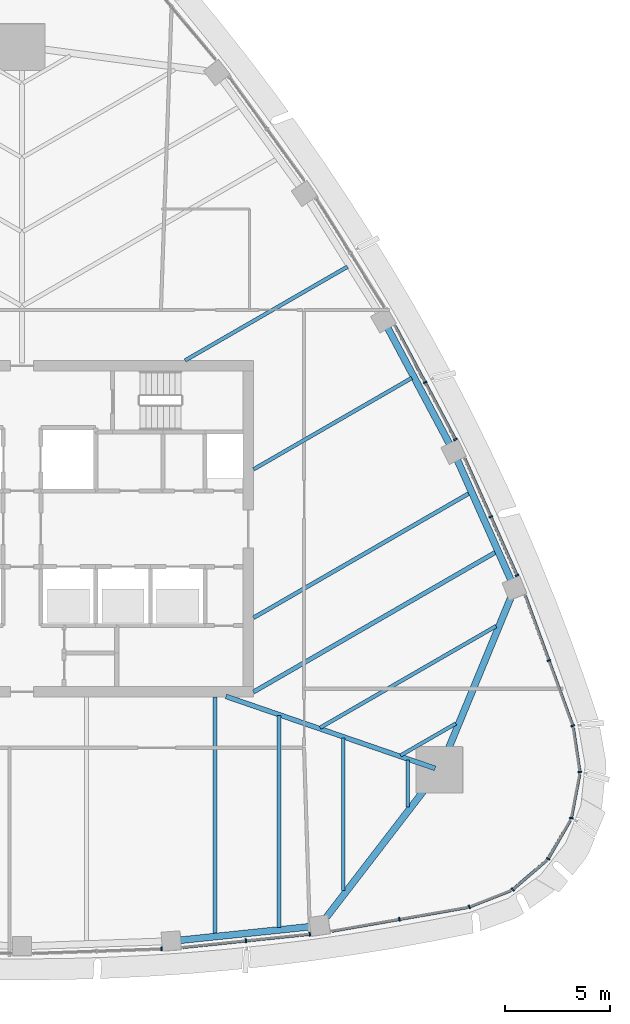
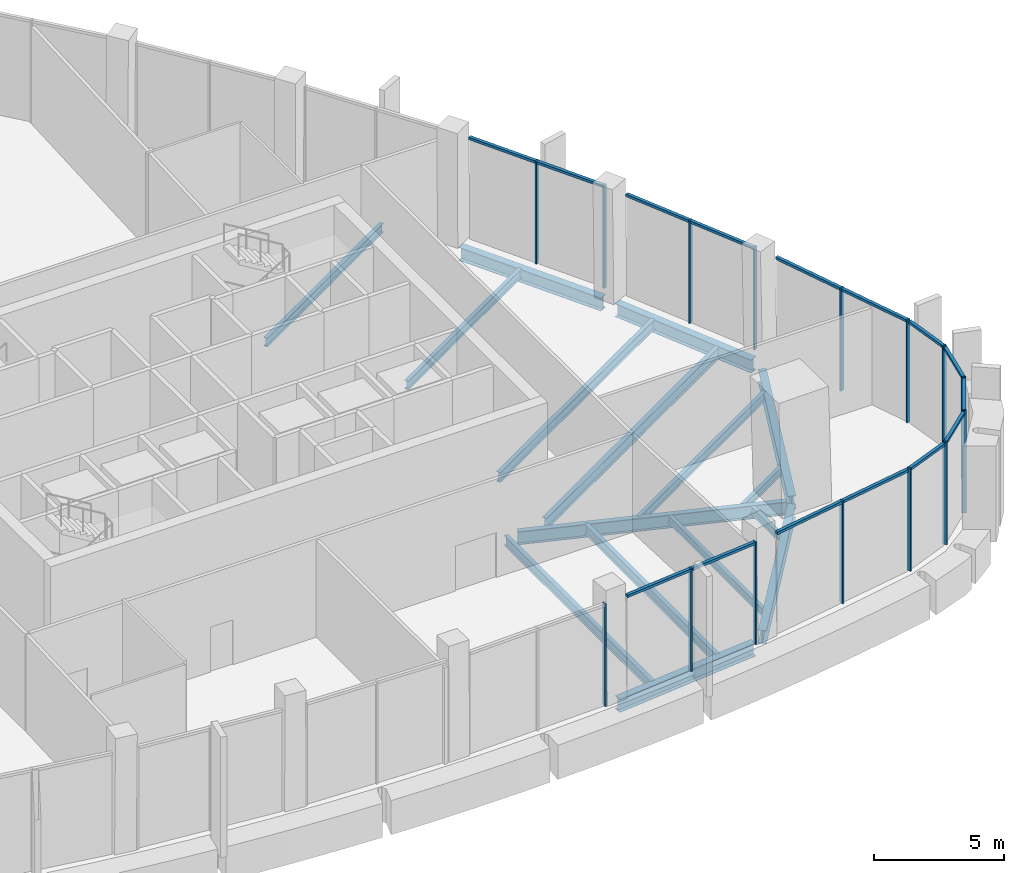
# One storey, part 4 of 19: 30 members, 16 beams, 11 elements without a shape of their own.
"""IFC4 building model written with IfcOpenShell, lengths in metres."""

from ifc_helpers import new_model, si_unit, direction, frame, origin, origin_2d, place, context, subcontext, project, spatial, rectangle, i_section, extrude, material, layer, layer_set, material_profile, profile_set, type_object, element, aggregate, save


model = new_model("IFC4")

# Units and contexts
model_context = context("Model", 3, precision=1e-05, world=origin(), true_north=direction((0.0, 1.0)))
body_context = subcontext(model_context, "Body", "Model", "MODEL_VIEW")
ifc_project = project(units=[si_unit("LENGTHUNIT", "METRE"), si_unit("AREAUNIT", "SQUARE_METRE"), si_unit("VOLUMEUNIT", "CUBIC_METRE"), si_unit("PLANEANGLEUNIT", "RADIAN"), si_unit("MASSUNIT", "GRAM", prefix="KILO")], contexts=[model_context])

# Site, building, storey
site_placement = place(None, origin())
site = spatial("IfcSite", under=ifc_project, at=site_placement, CompositionType="ELEMENT")
building_placement = place(site_placement, origin())
building = spatial("IfcBuilding", under=site, at=building_placement, Name="Sierra Prisma Convention Tower", CompositionType="ELEMENT")
storey_placement = place(building_placement, frame((0.0, 0.0, 319.0)))
storey = spatial("IfcBuildingStorey", under=building, at=storey_placement, Name="L73", CompositionType="ELEMENT", Elevation=319.0)

# Curtain wall, member
ifc_material_1 = material(Name="Aluminium and glass curtain wall", Category="aluminium")
ifc_layer = layer(ifc_material_1, 0.179931640625)
ifc_layer_set = layer_set([ifc_layer], Name="CW-1 Plain shaft curtain wall")
curtain_wall_type = type_object("IfcCurtainWallType", Name="CW-1 Plain shaft curtain wall", PredefinedType="NOTDEFINED", material=ifc_layer_set)
curtain_wall_1_placement = place(storey_placement, origin())
curtain_wall_1 = element("IfcCurtainWall", 1, at=curtain_wall_1_placement, inside=storey, type_object=curtain_wall_type, Name="CW-1 S4 L73", PredefinedType="NOTDEFINED")
ifc_material_2 = material(Name="Aluminium 6063-T6 bronze anodised", Category="aluminium")
ifc_material_profile_1 = material_profile(ifc_material_2, rectangle(XDim=0.179931640625, YDim=0.070068359375, at=origin_2d()), Name="ALU MULLION 70x180")
ifc_profile_set_1 = profile_set([ifc_material_profile_1], Name="Aluminium 6063-T6 bronze anodised")
member_type_1 = type_object("IfcMemberType", Name="CW mullion bronze", PredefinedType="MULLION", material=ifc_profile_set_1)
member_1_placement = place(storey_placement, frame((6.62109375, -19.958251953125, 0.0), z_axis=(0.0, 0.0, 1.0), x_axis=(-0.034550679888, 0.999402947023, 0.0)))
member_1 = element("IfcMember", 2, at=member_1_placement, type_object=member_type_1, Name="CW-1 mullion S4.3", PredefinedType="MULLION", context=body_context, shape_type="SweptSolid", body=[
    extrude(rectangle(XDim=0.179931640625, YDim=0.070068359375, at=origin_2d()), origin(), (0.0, 0.0, 1.0), 4.800048828125),
])
aggregate(curtain_wall_1, [member_1])

# Curtain wall, members
curtain_wall_2_placement = place(storey_placement, origin())
curtain_wall_2 = element("IfcCurtainWall", 3, at=curtain_wall_2_placement, inside=storey, type_object=curtain_wall_type, Name="CW-1 S5 L73", PredefinedType="NOTDEFINED")
member_2_placement = place(storey_placement, frame((10.63818359375, -19.57470703125, 0.0), z_axis=(0.0, 0.0, 1.0), x_axis=(-0.10348706024, 0.994630800027, 0.0)))
member_2 = element("IfcMember", 4, at=member_2_placement, type_object=member_type_1, Name="CW-1 mullion S5.2", PredefinedType="MULLION", context=body_context, shape_type="SweptSolid", body=[
    extrude(rectangle(XDim=0.179931640625, YDim=0.070068359375, at=origin_2d()), origin(), (0.0, 0.0, 1.0), 4.800048828125),
])
member_3_placement = place(storey_placement, frame((13.676025390625, -19.2587890625, 0.0), z_axis=(0.0, 0.0, 1.0), x_axis=(-0.10348706024, 0.994630800027, 0.0)))
member_3 = element("IfcMember", 5, at=member_3_placement, type_object=member_type_1, Name="CW-1 mullion S5.3", PredefinedType="MULLION", context=body_context, shape_type="SweptSolid", body=[
    extrude(rectangle(XDim=0.179931640625, YDim=0.070068359375, at=origin_2d()), origin(), (0.0, 0.0, 1.0), 4.800048828125),
])

# Curtain wall, member
curtain_wall_3_placement = place(storey_placement, origin())
curtain_wall_3 = element("IfcCurtainWall", 6, at=curtain_wall_3_placement, inside=storey, type_object=curtain_wall_type, Name="CW-1 S6 L73", PredefinedType="NOTDEFINED")
member_4_placement = place(storey_placement, frame((17.931396484375, -18.552978515625, 0.0), z_axis=(0.0, 0.0, 1.0), x_axis=(-0.171929290112, 0.985109293024, 0.0)))
member_4 = element("IfcMember", 7, at=member_4_placement, type_object=member_type_1, Name="CW-1 mullion S6.2", PredefinedType="MULLION", context=body_context, shape_type="SweptSolid", body=[
    extrude(rectangle(XDim=0.179931640625, YDim=0.070068359375, at=origin_2d()), origin(), (0.0, 0.0, 1.0), 4.800048828125),
])

curtain_wall_4_placement = place(storey_placement, origin())
curtain_wall_4 = element("IfcCurtainWall", 8, at=curtain_wall_4_placement, inside=storey, type_object=curtain_wall_type, Name="CW-1 SE1 L73", PredefinedType="NOTDEFINED")
member_5_placement = place(storey_placement, frame((21.250244140625, -17.966796875, 0.0), z_axis=(0.0, 0.0, 1.0), x_axis=(-0.366566353342, 0.930391911292, 0.0)))
member_5 = element("IfcMember", 9, at=member_5_placement, type_object=member_type_1, Name="CW-1 mullion SE1.1", PredefinedType="MULLION", context=body_context, shape_type="SweptSolid", body=[
    extrude(rectangle(XDim=0.179931640625, YDim=0.070068359375, at=origin_2d()), origin(), (0.0, 0.0, 1.0), 4.800048828125),
])

curtain_wall_5_placement = place(storey_placement, origin())
curtain_wall_5 = element("IfcCurtainWall", 10, at=curtain_wall_5_placement, inside=storey, type_object=curtain_wall_type, Name="CW-1 SE2 L73", PredefinedType="NOTDEFINED")
member_6_placement = place(storey_placement, frame((23.3173828125, -17.139892578125, 0.0), z_axis=(0.0, 0.0, 1.0), x_axis=(-0.652786266146, 0.757542137924, 0.0)))
member_6 = element("IfcMember", 11, at=member_6_placement, type_object=member_type_1, Name="CW-1 mullion SE2.1", PredefinedType="MULLION", context=body_context, shape_type="SweptSolid", body=[
    extrude(rectangle(XDim=0.179931640625, YDim=0.070068359375, at=origin_2d()), origin(), (0.0, 0.0, 1.0), 4.800048828125),
])

curtain_wall_6_placement = place(storey_placement, origin())
curtain_wall_6 = element("IfcCurtainWall", 12, at=curtain_wall_6_placement, inside=storey, type_object=curtain_wall_type, Name="CW-1 SE3 L73", PredefinedType="NOTDEFINED")
member_7_placement = place(storey_placement, frame((24.996337890625, -15.677734375, 0.0), z_axis=(0.0, 0.0, 1.0), x_axis=(-0.866025403784, 0.5, 0.0)))
member_7 = element("IfcMember", 13, at=member_7_placement, type_object=member_type_1, Name="CW-1 mullion SE3.1", PredefinedType="MULLION", context=body_context, shape_type="SweptSolid", body=[
    extrude(rectangle(XDim=0.179931640625, YDim=0.070068359375, at=origin_2d()), origin(), (0.0, 0.0, 1.0), 4.800048828125),
])

curtain_wall_7_placement = place(storey_placement, origin())
curtain_wall_7 = element("IfcCurtainWall", 14, at=curtain_wall_7_placement, inside=storey, type_object=curtain_wall_type, Name="CW-1 SE4 L73", PredefinedType="NOTDEFINED")
member_8_placement = place(storey_placement, frame((26.099609375, -13.743896484375, 0.0), z_axis=(0.0, 0.0, 1.0), x_axis=(-0.982443868953, 0.186558420762, 0.0)))
member_8 = element("IfcMember", 15, at=member_8_placement, type_object=member_type_1, Name="CW-1 mullion SE4.1", PredefinedType="MULLION", context=body_context, shape_type="SweptSolid", body=[
    extrude(rectangle(XDim=0.179931640625, YDim=0.070068359375, at=origin_2d()), origin(), (0.0, 0.0, 1.0), 4.800048828125),
])

curtain_wall_8_placement = place(storey_placement, origin())
curtain_wall_8 = element("IfcCurtainWall", 16, at=curtain_wall_8_placement, inside=storey, type_object=curtain_wall_type, Name="CW-1 SE5 L73", PredefinedType="NOTDEFINED")
member_9_placement = place(storey_placement, frame((26.503662109375, -11.554443359375, 0.0), z_axis=(0.0, 0.0, 1.0), x_axis=(-0.989026207325, -0.147740181479, 0.0)))
member_9 = element("IfcMember", 17, at=member_9_placement, type_object=member_type_1, Name="CW-1 mullion SE5.1", PredefinedType="MULLION", context=body_context, shape_type="SweptSolid", body=[
    extrude(rectangle(XDim=0.179931640625, YDim=0.070068359375, at=origin_2d()), origin(), (0.0, 0.0, 1.0), 4.800048828125),
])

# Curtain wall, members
curtain_wall_9_placement = place(storey_placement, origin())
curtain_wall_9 = element("IfcCurtainWall", 18, at=curtain_wall_9_placement, inside=storey, type_object=curtain_wall_type, Name="CW-1 NE1 L73", PredefinedType="NOTDEFINED")
member_10_placement = place(storey_placement, frame((26.16748046875, -9.3525390625, 0.0), z_axis=(0.0, 0.0, 1.0), x_axis=(-0.939094318319, -0.34365951362, 0.0)))
member_10 = element("IfcMember", 19, at=member_10_placement, type_object=member_type_1, Name="CW-1 mullion NE1.1", PredefinedType="MULLION", context=body_context, shape_type="SweptSolid", body=[
    extrude(rectangle(XDim=0.179931640625, YDim=0.070068359375, at=origin_2d()), origin(), (0.0, 0.0, 1.0), 4.800048828125),
])
member_11_placement = place(storey_placement, frame((25.033203125, -6.25244140625, 0.0), z_axis=(0.0, 0.0, 1.0), x_axis=(-0.939094318319, -0.34365951362, 0.0)))
member_11 = element("IfcMember", 20, at=member_11_placement, type_object=member_type_1, Name="CW-1 mullion NE1.2", PredefinedType="MULLION", context=body_context, shape_type="SweptSolid", body=[
    extrude(rectangle(XDim=0.179931640625, YDim=0.070068359375, at=origin_2d()), origin(), (0.0, 0.0, 1.0), 4.800048828125),
])

curtain_wall_10_placement = place(storey_placement, origin())
curtain_wall_10 = element("IfcCurtainWall", 21, at=curtain_wall_10_placement, inside=storey, type_object=curtain_wall_type, Name="CW-1 NE2 L73", PredefinedType="NOTDEFINED")
member_12_placement = place(storey_placement, frame((23.5166015625, -2.214599609375, 0.0), z_axis=(0.0, 0.0, 1.0), x_axis=(-0.91311907033, -0.407692976883, 0.0)))
member_12 = element("IfcMember", 22, at=member_12_placement, type_object=member_type_1, Name="CW-1 mullion NE2.1", PredefinedType="MULLION", context=body_context, shape_type="SweptSolid", body=[
    extrude(rectangle(XDim=0.179931640625, YDim=0.070068359375, at=origin_2d()), origin(), (0.0, 0.0, 1.0), 4.800048828125),
])
member_13_placement = place(storey_placement, frame((22.271484375, 0.574462890625, 0.0), z_axis=(0.0, 0.0, 1.0), x_axis=(-0.91311907033, -0.407692976883, 0.0)))
member_13 = element("IfcMember", 23, at=member_13_placement, type_object=member_type_1, Name="CW-1 mullion NE2.2", PredefinedType="MULLION", context=body_context, shape_type="SweptSolid", body=[
    extrude(rectangle(XDim=0.179931640625, YDim=0.070068359375, at=origin_2d()), origin(), (0.0, 0.0, 1.0), 4.800048828125),
])

curtain_wall_11_placement = place(storey_placement, origin())
curtain_wall_11 = element("IfcCurtainWall", 24, at=curtain_wall_11_placement, inside=storey, type_object=curtain_wall_type, Name="CW-1 NE3 L73", PredefinedType="NOTDEFINED")
member_14_placement = place(storey_placement, frame((20.594970703125, 4.244873046875, 0.0), z_axis=(0.0, 0.0, 1.0), x_axis=(-0.882783680684, -0.46977970701, 0.0)))
member_14 = element("IfcMember", 25, at=member_14_placement, type_object=member_type_1, Name="CW-1 mullion NE3.1", PredefinedType="MULLION", context=body_context, shape_type="SweptSolid", body=[
    extrude(rectangle(XDim=0.179931640625, YDim=0.070068359375, at=origin_2d()), origin(), (0.0, 0.0, 1.0), 4.800048828125),
])
member_15_placement = place(storey_placement, frame((19.152587890625, 6.955078125, 0.0), z_axis=(0.0, 0.0, 1.0), x_axis=(-0.882783680684, -0.46977970701, 0.0)))
member_15 = element("IfcMember", 26, at=member_15_placement, type_object=member_type_1, Name="CW-1 mullion NE3.2", PredefinedType="MULLION", context=body_context, shape_type="SweptSolid", body=[
    extrude(rectangle(XDim=0.179931640625, YDim=0.070068359375, at=origin_2d()), origin(), (0.0, 0.0, 1.0), 4.800048828125),
])

# Member
ifc_material_3 = material(Name="Aluminium 6063-T6 bronze anodised", Category="aluminium")
ifc_material_profile_2 = material_profile(ifc_material_3, rectangle(XDim=0.139892578125, YDim=0.1201171875, at=origin_2d()), Name="ALU TRANSOM 120x140")
ifc_profile_set_2 = profile_set([ifc_material_profile_2], Name="Aluminium 6063-T6 bronze anodised")
member_type_2 = type_object("IfcMemberType", Name="CW transom bronze", PredefinedType="USERDEFINED", material=ifc_profile_set_2)
member_16_placement = place(storey_placement, frame((7.635009765625, -19.88720703125, 4.739990234375), z_axis=(0.994630696032, 0.103488059753, 0.0), x_axis=(-0.103488059753, 0.994630696032, 0.0)))
member_16 = element("IfcMember", 27, at=member_16_placement, type_object=member_type_2, Name="CW-1 transom S5.1", ObjectType="TRANSOM", PredefinedType="USERDEFINED", context=body_context, shape_type="SweptSolid", body=[
    extrude(rectangle(XDim=0.139892578125, YDim=0.1201171875, at=origin_2d()), origin(), (0.0, 0.0, 1.0), 2.984375),
])

member_17_placement = place(storey_placement, frame((10.6728515625, -19.5712890625, 4.739990234375), z_axis=(0.994630696032, 0.103488059753, 0.0), x_axis=(-0.103488059753, 0.994630696032, 0.0)))
member_17 = element("IfcMember", 28, at=member_17_placement, type_object=member_type_2, Name="CW-1 transom S5.2", ObjectType="TRANSOM", PredefinedType="USERDEFINED", context=body_context, shape_type="SweptSolid", body=[
    extrude(rectangle(XDim=0.139892578125, YDim=0.1201171875, at=origin_2d()), origin(), (0.0, 0.0, 1.0), 2.984375),
])

aggregate(curtain_wall_2, [member_2, member_3, member_16, member_17])

member_18_placement = place(storey_placement, frame((14.7138671875, -19.114501953125, 4.739990234375), z_axis=(0.985115663449, 0.17189278527, 0.0), x_axis=(-0.17189278527, 0.985115663449, 0.0)))
member_18 = element("IfcMember", 29, at=member_18_placement, type_object=member_type_2, Name="CW-1 transom S6.1", ObjectType="TRANSOM", PredefinedType="USERDEFINED", context=body_context, shape_type="SweptSolid", body=[
    extrude(rectangle(XDim=0.139892578125, YDim=0.1201171875, at=origin_2d()), origin(), (0.0, 0.0, 1.0), 3.231201171875),
])

member_19_placement = place(storey_placement, frame((17.9658203125, -18.547119140625, 4.739990234375), z_axis=(0.985100631825, 0.171978909107, 0.0), x_axis=(-0.171978909107, 0.985100631825, 0.0)))
member_19 = element("IfcMember", 30, at=member_19_placement, type_object=member_type_2, Name="CW-1 transom S6.2", ObjectType="TRANSOM", PredefinedType="USERDEFINED", context=body_context, shape_type="SweptSolid", body=[
    extrude(rectangle(XDim=0.139892578125, YDim=0.1201171875, at=origin_2d()), origin(), (0.0, 0.0, 1.0), 3.23095703125),
])

aggregate(curtain_wall_3, [member_4, member_18, member_19])

member_20_placement = place(storey_placement, frame((21.282958984375, -17.953857421875, 4.739990234375), z_axis=(0.930407184632, 0.3665275853, 0.0), x_axis=(-0.3665275853, 0.930407184632, 0.0)))
member_20 = element("IfcMember", 31, at=member_20_placement, type_object=member_type_2, Name="CW-1 transom SE1.1", ObjectType="TRANSOM", PredefinedType="USERDEFINED", context=body_context, shape_type="SweptSolid", body=[
    extrude(rectangle(XDim=0.139892578125, YDim=0.1201171875, at=origin_2d()), origin(), (0.0, 0.0, 1.0), 2.088134765625),
])

aggregate(curtain_wall_4, [member_5, member_20])

member_21_placement = place(storey_placement, frame((23.343994140625, -17.116943359375, 4.739990234375), z_axis=(0.7575953488, 0.652724511165, 0.0), x_axis=(-0.652724511165, 0.7575953488, 0.0)))
member_21 = element("IfcMember", 32, at=member_21_placement, type_object=member_type_2, Name="CW-1 transom SE2.1", ObjectType="TRANSOM", PredefinedType="USERDEFINED", context=body_context, shape_type="SweptSolid", body=[
    extrude(rectangle(XDim=0.139892578125, YDim=0.1201171875, at=origin_2d()), origin(), (0.0, 0.0, 1.0), 2.088134765625),
])

aggregate(curtain_wall_5, [member_6, member_21])

member_22_placement = place(storey_placement, frame((25.013916015625, -15.6474609375, 4.739990234375), z_axis=(0.499999053588, 0.866025950195, 0.0), x_axis=(-0.866025950195, 0.499999053588, 0.0)))
member_22 = element("IfcMember", 33, at=member_22_placement, type_object=member_type_2, Name="CW-1 transom SE3.1", ObjectType="TRANSOM", PredefinedType="USERDEFINED", context=body_context, shape_type="SweptSolid", body=[
    extrude(rectangle(XDim=0.139892578125, YDim=0.1201171875, at=origin_2d()), origin(), (0.0, 0.0, 1.0), 2.08837890625),
])

aggregate(curtain_wall_6, [member_7, member_22])

member_23_placement = place(storey_placement, frame((26.106201171875, -13.70947265625, 4.739990234375), z_axis=(0.186596325816, 0.982436670321, 0.0), x_axis=(-0.982436670321, 0.186596325816, 0.0)))
member_23 = element("IfcMember", 34, at=member_23_placement, type_object=member_type_2, Name="CW-1 transom SE4.1", ObjectType="TRANSOM", PredefinedType="USERDEFINED", context=body_context, shape_type="SweptSolid", body=[
    extrude(rectangle(XDim=0.139892578125, YDim=0.1201171875, at=origin_2d()), origin(), (0.0, 0.0, 1.0), 2.088134765625),
])

aggregate(curtain_wall_7, [member_8, member_23])

member_24_placement = place(storey_placement, frame((26.49853515625, -11.52001953125, 4.739990234375), z_axis=(-0.147768762296, 0.989021937517, 0.0), x_axis=(-0.989021937517, -0.147768762296, 0.0)))
member_24 = element("IfcMember", 35, at=member_24_placement, type_object=member_type_2, Name="CW-1 transom SE5.1", ObjectType="TRANSOM", PredefinedType="USERDEFINED", context=body_context, shape_type="SweptSolid", body=[
    extrude(rectangle(XDim=0.139892578125, YDim=0.1201171875, at=origin_2d()), origin(), (0.0, 0.0, 1.0), 2.08837890625),
])

aggregate(curtain_wall_8, [member_9, member_24])

member_25_placement = place(storey_placement, frame((26.155517578125, -9.319580078125, 4.739990234375), z_axis=(-0.343659550835, 0.9390943047, 0.0), x_axis=(-0.9390943047, -0.343659550835, 0.0)))
member_25 = element("IfcMember", 36, at=member_25_placement, type_object=member_type_2, Name="CW-1 transom NE1.1", ObjectType="TRANSOM", PredefinedType="USERDEFINED", context=body_context, shape_type="SweptSolid", body=[
    extrude(rectangle(XDim=0.139892578125, YDim=0.1201171875, at=origin_2d()), origin(), (0.0, 0.0, 1.0), 3.23095703125),
])

member_26_placement = place(storey_placement, frame((25.02099609375, -6.2197265625, 4.739990234375), z_axis=(-0.343635166168, 0.939103227858, 0.0), x_axis=(-0.939103227858, -0.343635166168, 0.0)))
member_26 = element("IfcMember", 37, at=member_26_placement, type_object=member_type_2, Name="CW-1 transom NE1.2", ObjectType="TRANSOM", PredefinedType="USERDEFINED", context=body_context, shape_type="SweptSolid", body=[
    extrude(rectangle(XDim=0.139892578125, YDim=0.1201171875, at=origin_2d()), origin(), (0.0, 0.0, 1.0), 3.231201171875),
])

aggregate(curtain_wall_9, [member_10, member_11, member_25, member_26])

member_27_placement = place(storey_placement, frame((23.50244140625, -2.1826171875, 4.739990234375), z_axis=(-0.407716614009, 0.913108516366, 0.0), x_axis=(-0.913108516366, -0.407716614009, 0.0)))
member_27 = element("IfcMember", 38, at=member_27_placement, type_object=member_type_2, Name="CW-1 transom NE2.1", ObjectType="TRANSOM", PredefinedType="USERDEFINED", context=body_context, shape_type="SweptSolid", body=[
    extrude(rectangle(XDim=0.139892578125, YDim=0.1201171875, at=origin_2d()), origin(), (0.0, 0.0, 1.0), 2.984375),
])

member_28_placement = place(storey_placement, frame((22.257080078125, 0.6064453125, 4.739990234375), z_axis=(-0.407716614009, 0.913108516366, 0.0), x_axis=(-0.913108516366, -0.407716614009, 0.0)))
member_28 = element("IfcMember", 39, at=member_28_placement, type_object=member_type_2, Name="CW-1 transom NE2.2", ObjectType="TRANSOM", PredefinedType="USERDEFINED", context=body_context, shape_type="SweptSolid", body=[
    extrude(rectangle(XDim=0.139892578125, YDim=0.1201171875, at=origin_2d()), origin(), (0.0, 0.0, 1.0), 2.984375),
])

aggregate(curtain_wall_10, [member_12, member_13, member_27, member_28])

member_29_placement = place(storey_placement, frame((20.57861328125, 4.27587890625, 4.739990234375), z_axis=(-0.469789759099, 0.882778331319, 0.0), x_axis=(-0.882778331319, -0.469789759099, 0.0)))
member_29 = element("IfcMember", 40, at=member_29_placement, type_object=member_type_2, Name="CW-1 transom NE3.1", ObjectType="TRANSOM", PredefinedType="USERDEFINED", context=body_context, shape_type="SweptSolid", body=[
    extrude(rectangle(XDim=0.139892578125, YDim=0.1201171875, at=origin_2d()), origin(), (0.0, 0.0, 1.0), 3.0),
])

member_30_placement = place(storey_placement, frame((19.13623046875, 6.986083984375, 4.739990234375), z_axis=(-0.469789759099, 0.882778331319, 0.0), x_axis=(-0.882778331319, -0.469789759099, 0.0)))
member_30 = element("IfcMember", 41, at=member_30_placement, type_object=member_type_2, Name="CW-1 transom NE3.2", ObjectType="TRANSOM", PredefinedType="USERDEFINED", context=body_context, shape_type="SweptSolid", body=[
    extrude(rectangle(XDim=0.139892578125, YDim=0.1201171875, at=origin_2d()), origin(), (0.0, 0.0, 1.0), 3.0),
])

aggregate(curtain_wall_11, [member_14, member_15, member_29, member_30])

# Beams
ifc_material_4 = material(Name="Steel ASTM A992 Gr 50", Category="steel")
ifc_material_profile_3 = material_profile(ifc_material_4, i_section(OverallWidth=0.172119140625, OverallDepth=0.35791015625, WebThickness=0.0078125, FlangeThickness=0.01318359375, at=origin_2d()), Name="W360x57")
ifc_profile_set_3 = profile_set([ifc_material_profile_3], Name="Steel ASTM A992 Gr 50")
beam_type_1 = type_object("IfcBeamType", Name="Floor joist W360x57", PredefinedType="JOIST", material=ifc_profile_set_3)
beam_1_placement = place(storey_placement, frame((15.26611328125, -17.19482421875, -0.3291015625), z_axis=(0.0, 1.0, 0.0), x_axis=(-1.0, 0.0, 0.0)))
element("IfcBeam", 42, at=beam_1_placement, inside=storey, type_object=beam_type_1, Name="Floor joist L73 S12", PredefinedType="JOIST", context=body_context, shape_type="SweptSolid", body=[
    extrude(i_section(OverallWidth=0.172119140625, OverallDepth=0.35791015625, WebThickness=0.0078125, FlangeThickness=0.01318359375, at=origin_2d()), origin(), (0.0, 0.0, 1.0), 7.2646484375),
])
beam_2_placement = place(storey_placement, frame((18.319091796875, -13.225830078125, -0.3291015625), z_axis=(0.0, 1.0, 0.0), x_axis=(-1.0, 0.0, 0.0)))
element("IfcBeam", 43, at=beam_2_placement, inside=storey, type_object=beam_type_1, Name="Floor joist L73 S13", PredefinedType="JOIST", context=body_context, shape_type="SweptSolid", body=[
    extrude(i_section(OverallWidth=0.172119140625, OverallDepth=0.35791015625, WebThickness=0.0078125, FlangeThickness=0.01318359375, at=origin_2d()), origin(), (0.0, 0.0, 1.0), 2.24462890625),
])
beam_3_placement = place(storey_placement, frame((20.613525390625, -9.251953125, -0.3291015625), z_axis=(-0.866026133621, -0.499998735884, 0.0), x_axis=(0.499998735884, -0.866026133621, 0.0)))
element("IfcBeam", 44, at=beam_3_placement, inside=storey, type_object=beam_type_1, Name="Floor joist L73 NE01", PredefinedType="JOIST", context=body_context, shape_type="SweptSolid", body=[
    extrude(i_section(OverallWidth=0.172119140625, OverallDepth=0.35791015625, WebThickness=0.0078125, FlangeThickness=0.01318359375, at=origin_2d()), origin(), (0.0, 0.0, 1.0), 3.0341796875),
])
ifc_material_5 = material(Name="Steel ASTM A992 Gr 50", Category="steel")
ifc_material_profile_4 = material_profile(ifc_material_5, i_section(OverallWidth=0.177978515625, OverallDepth=0.406982421875, WebThickness=0.0078125, FlangeThickness=0.0126953125, at=origin_2d()), Name="W410x60")
ifc_profile_set_4 = profile_set([ifc_material_profile_4], Name="Steel ASTM A992 Gr 50")
beam_type_2 = type_object("IfcBeamType", Name="Floor joist W410x60", PredefinedType="JOIST", material=ifc_profile_set_4)
beam_4_placement = place(storey_placement, frame((22.524169921875, -4.623291015625, -0.353515625), z_axis=(-0.866030251462, -0.499991603482, 0.0), x_axis=(0.499991603482, -0.866030251462, 0.0)))
element("IfcBeam", 45, at=beam_4_placement, inside=storey, type_object=beam_type_2, Name="Floor joist L73 NE02", PredefinedType="JOIST", context=body_context, shape_type="SweptSolid", body=[
    extrude(i_section(OverallWidth=0.177978515625, OverallDepth=0.406982421875, WebThickness=0.0078125, FlangeThickness=0.0126953125, at=origin_2d()), origin(), (0.0, 0.0, 1.0), 9.657958984375),
])
beam_5_placement = place(storey_placement, frame((18.51708984375, 7.165283203125, -0.353515625), z_axis=(-0.866032891431, -0.499987030792, 0.0), x_axis=(0.499987030792, -0.866032891431, 0.0)))
element("IfcBeam", 46, at=beam_5_placement, inside=storey, type_object=beam_type_2, Name="Floor joist L73 NE06", PredefinedType="JOIST", context=body_context, shape_type="SweptSolid", body=[
    extrude(i_section(OverallWidth=0.177978515625, OverallDepth=0.406982421875, WebThickness=0.0078125, FlangeThickness=0.0126953125, at=origin_2d()), origin(), (0.0, 0.0, 1.0), 8.679931640625),
])
beam_6_placement = place(storey_placement, frame((15.464111328125, 12.45361328125, -0.353515625), z_axis=(-0.866031770531, -0.499988972309, 0.0), x_axis=(0.499988972309, -0.866031770531, 0.0)))
element("IfcBeam", 47, at=beam_6_placement, inside=storey, type_object=beam_type_2, Name="Floor joist L73 NE08", PredefinedType="JOIST", context=body_context, shape_type="SweptSolid", body=[
    extrude(i_section(OverallWidth=0.177978515625, OverallDepth=0.406982421875, WebThickness=0.0078125, FlangeThickness=0.0126953125, at=origin_2d()), origin(), (0.0, 0.0, 1.0), 8.907470703125),
])
ifc_material_6 = material(Name="Steel ASTM A992 Gr 50", Category="steel")
ifc_material_profile_5 = material_profile(ifc_material_6, i_section(OverallWidth=0.18994140625, OverallDepth=0.45703125, WebThickness=0.009033203125, FlangeThickness=0.014404296875, at=origin_2d()), Name="W460x74")
ifc_profile_set_5 = profile_set([ifc_material_profile_5], Name="Steel ASTM A992 Gr 50")
beam_type_3 = type_object("IfcBeamType", Name="Floor joist W460x74", PredefinedType="JOIST", material=ifc_profile_set_5)
beam_7_placement = place(storey_placement, frame((9.15966796875, -19.263671875, -0.37841796875), z_axis=(0.0, 1.0, 0.0), x_axis=(-1.0, 0.0, 0.0)))
element("IfcBeam", 48, at=beam_7_placement, inside=storey, type_object=beam_type_3, Name="Floor joist L73 S10", PredefinedType="JOIST", context=body_context, shape_type="SweptSolid", body=[
    extrude(i_section(OverallWidth=0.18994140625, OverallDepth=0.45703125, WebThickness=0.009033203125, FlangeThickness=0.014404296875, at=origin_2d()), origin(), (0.0, 0.0, 1.0), 11.263671875),
])
beam_8_placement = place(storey_placement, frame((12.212890625, -18.946044921875, -0.37841796875), z_axis=(0.0, 1.0, 0.0), x_axis=(-1.0, 0.0, 0.0)))
element("IfcBeam", 49, at=beam_8_placement, inside=storey, type_object=beam_type_3, Name="Floor joist L73 S11", PredefinedType="JOIST", context=body_context, shape_type="SweptSolid", body=[
    extrude(i_section(OverallWidth=0.18994140625, OverallDepth=0.45703125, WebThickness=0.009033203125, FlangeThickness=0.014404296875, at=origin_2d()), origin(), (0.0, 0.0, 1.0), 10.06689453125),
])
beam_9_placement = place(storey_placement, frame((21.262451171875, 1.69921875, -0.37841796875), z_axis=(-0.866024677295, -0.500001258315, 0.0), x_axis=(0.500001258315, -0.866024677295, 0.0)))
element("IfcBeam", 50, at=beam_9_placement, inside=storey, type_object=beam_type_3, Name="Floor joist L73 NE04", PredefinedType="JOIST", context=body_context, shape_type="SweptSolid", body=[
    extrude(i_section(OverallWidth=0.18994140625, OverallDepth=0.45703125, WebThickness=0.009033203125, FlangeThickness=0.014404296875, at=origin_2d()), origin(), (0.0, 0.0, 1.0), 11.85009765625),
])
ifc_material_7 = material(Name="Steel ASTM A992 Gr 50", Category="steel")
ifc_material_profile_6 = material_profile(ifc_material_7, i_section(OverallWidth=0.208984375, OverallDepth=0.532958984375, WebThickness=0.01025390625, FlangeThickness=0.015625, at=origin_2d()), Name="W530x92")
ifc_profile_set_6 = profile_set([ifc_material_profile_6], Name="Steel ASTM A992 Gr 50")
beam_type_4 = type_object("IfcBeamType", Name="Floor joist W530x92", PredefinedType="JOIST", material=ifc_profile_set_6)
beam_10_placement = place(storey_placement, frame((22.51416015625, -1.103759765625, -0.41650390625), z_axis=(-0.866033302551, -0.499986318686, 0.0), x_axis=(0.499986318686, -0.866033302551, 0.0)))
element("IfcBeam", 51, at=beam_10_placement, inside=storey, type_object=beam_type_4, Name="Floor joist L73 NE03", PredefinedType="JOIST", context=body_context, shape_type="SweptSolid", body=[
    extrude(i_section(OverallWidth=0.208984375, OverallDepth=0.532958984375, WebThickness=0.01025390625, FlangeThickness=0.015625, at=origin_2d()), origin(), (0.0, 0.0, 1.0), 13.295166015625),
])
ifc_material_8 = material(Name="Steel ASTM A992 Gr 50", Category="steel")
ifc_material_profile_7 = material_profile(ifc_material_8, i_section(OverallWidth=0.22998046875, OverallDepth=0.616943359375, WebThickness=0.01318359375, FlangeThickness=0.022216796875, at=origin_2d()), Name="W610x140")
ifc_profile_set_7 = profile_set([ifc_material_profile_7], Name="Steel ASTM A992 Gr 50")
beam_type_5 = type_object("IfcBeamType", Name="Radial girder W610x140", PredefinedType="BEAM", material=ifc_profile_set_7)
beam_11_placement = place(storey_placement, frame((19.625732421875, -11.38232421875, -0.45849609375), z_axis=(-0.945546609088, 0.325486727905, 0.0), x_axis=(-0.325486727905, -0.945546609088, 0.0)))
element("IfcBeam", 52, at=beam_11_placement, inside=storey, type_object=beam_type_5, Name="Radial girder L73 SE", PredefinedType="BEAM", context=body_context, shape_type="SweptSolid", body=[
    extrude(i_section(OverallWidth=0.22998046875, OverallDepth=0.616943359375, WebThickness=0.01318359375, FlangeThickness=0.022216796875, at=origin_2d()), origin(), (0.0, 0.0, 1.0), 10.51171875),
])
ifc_material_9 = material(Name="Steel ASTM A992 Gr 50", Category="steel")
ifc_material_profile_8 = material_profile(ifc_material_9, i_section(OverallWidth=0.324951171875, OverallDepth=0.615966796875, WebThickness=0.013916015625, FlangeThickness=0.021484375, at=origin_2d()), Name="W610x174")
ifc_profile_set_8 = profile_set([ifc_material_profile_8], Name="Steel ASTM A992 Gr 50")
beam_type_6 = type_object("IfcBeamType", Name="Spandrel beam W610x174", PredefinedType="BEAM", material=ifc_profile_set_8)
beam_12_placement = place(storey_placement, frame((7.422119140625, -19.5576171875, -0.4580078125), z_axis=(0.994633542401, 0.103460699446, 0.0), x_axis=(-0.103460699446, 0.994633542401, 0.0)))
element("IfcBeam", 53, at=beam_12_placement, inside=storey, type_object=beam_type_6, Name="Spandrel L73-05", PredefinedType="BEAM", context=body_context, shape_type="SweptSolid", body=[
    extrude(i_section(OverallWidth=0.324951171875, OverallDepth=0.615966796875, WebThickness=0.013916015625, FlangeThickness=0.021484375, at=origin_2d()), origin(), (0.0, 0.0, 1.0), 6.4375),
])
beam_13_placement = place(storey_placement, frame((14.465087890625, -18.452392578125, -0.4580078125), z_axis=(0.609735608389, 0.792604874993, 0.0), x_axis=(-0.792604874993, 0.609735608389, 0.0)))
element("IfcBeam", 54, at=beam_13_placement, inside=storey, type_object=beam_type_6, Name="Spandrel L73-06", PredefinedType="BEAM", context=body_context, shape_type="SweptSolid", body=[
    extrude(i_section(OverallWidth=0.324951171875, OverallDepth=0.615966796875, WebThickness=0.013916015625, FlangeThickness=0.021484375, at=origin_2d()), origin(), (0.0, 0.0, 1.0), 8.547119140625),
])
beam_14_placement = place(storey_placement, frame((19.9365234375, -11.238037109375, -0.4580078125), z_axis=(0.381540486343, 0.924352128402, 0.0), x_axis=(-0.924352128402, 0.381540486343, 0.0)))
element("IfcBeam", 55, at=beam_14_placement, inside=storey, type_object=beam_type_6, Name="Spandrel L73-07", PredefinedType="BEAM", context=body_context, shape_type="SweptSolid", body=[
    extrude(i_section(OverallWidth=0.324951171875, OverallDepth=0.615966796875, WebThickness=0.013916015625, FlangeThickness=0.021484375, at=origin_2d()), origin(), (0.0, 0.0, 1.0), 8.586669921875),
])
beam_15_placement = place(storey_placement, frame((23.27294921875, -2.527099609375, -0.4580078125), z_axis=(-0.407693191646, 0.913118974442, 0.0), x_axis=(-0.913118974442, -0.407693191646, 0.0)))
element("IfcBeam", 56, at=beam_15_placement, inside=storey, type_object=beam_type_6, Name="Spandrel L73-08", PredefinedType="BEAM", context=body_context, shape_type="SweptSolid", body=[
    extrude(i_section(OverallWidth=0.324951171875, OverallDepth=0.615966796875, WebThickness=0.013916015625, FlangeThickness=0.021484375, at=origin_2d()), origin(), (0.0, 0.0, 1.0), 6.4375),
])
beam_16_placement = place(storey_placement, frame((20.358642578125, 3.9443359375, -0.4580078125), z_axis=(-0.469765182988, 0.882791409594, 0.0), x_axis=(-0.882791409594, -0.469765182988, 0.0)))
element("IfcBeam", 57, at=beam_16_placement, inside=storey, type_object=beam_type_6, Name="Spandrel L73-09", PredefinedType="BEAM", context=body_context, shape_type="SweptSolid", body=[
    extrude(i_section(OverallWidth=0.324951171875, OverallDepth=0.615966796875, WebThickness=0.013916015625, FlangeThickness=0.021484375, at=origin_2d()), origin(), (0.0, 0.0, 1.0), 6.43701171875),
])

save(model, "model.ifc")
